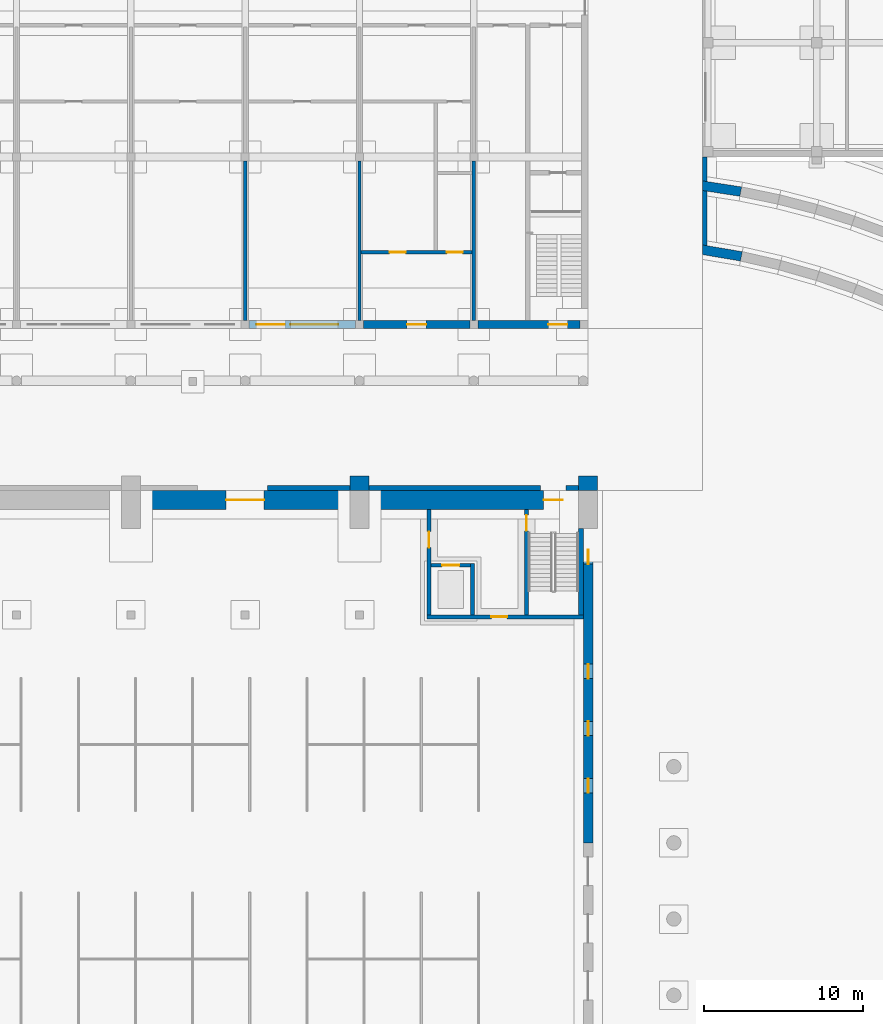
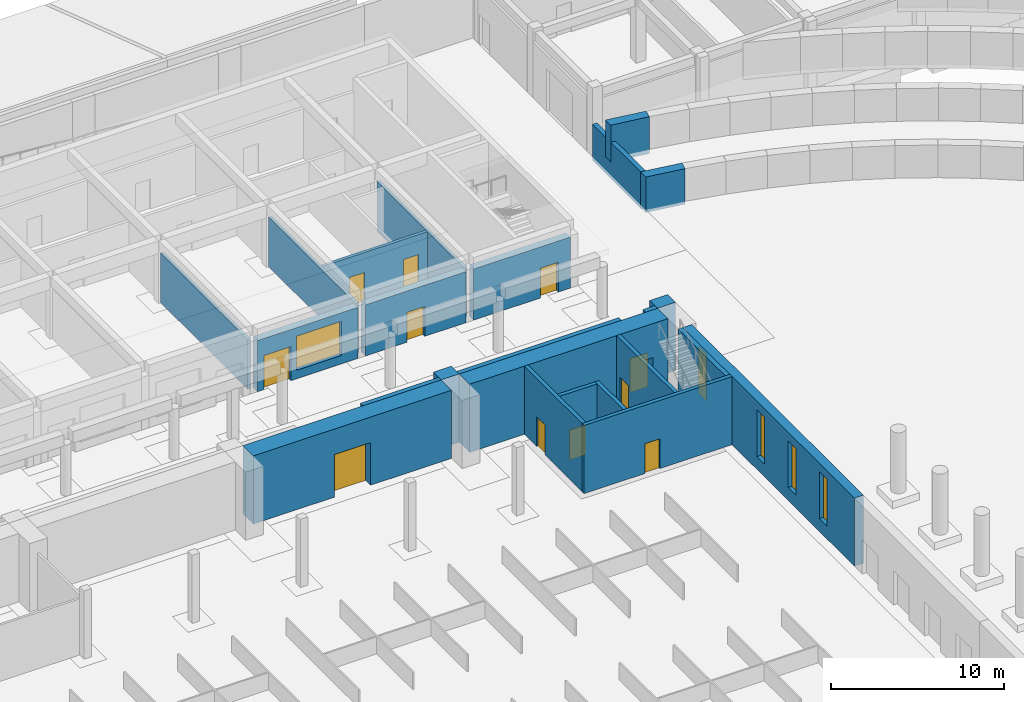
# One storey, part 48 of 73: 24 walls, 11 doors, 5 windows, 16 openings.
"""IFC4 building model written with IfcOpenShell, lengths in metres."""

from ifc_helpers import new_model, si_unit, direction, frame, frame_2d, origin, place, context, subcontext, project, spatial, polyline, rectangle, outline, extrude, material, layer, layer_set, type_object, element, fill, save


model = new_model("IFC4")

# Units and contexts
model_context = context("Model", 3, precision=1e-05, world=origin(), true_north=direction((0.0, 1.0)))
body_context = subcontext(model_context, "Body", "Model", "MODEL_VIEW")
ifc_project = project(units=[si_unit("LENGTHUNIT", "METRE"), si_unit("AREAUNIT", "SQUARE_METRE"), si_unit("VOLUMEUNIT", "CUBIC_METRE"), si_unit("PLANEANGLEUNIT", "RADIAN"), si_unit("MASSUNIT", "GRAM", prefix="KILO")], contexts=[model_context])

# Site, building, storey
site_placement = place(None, origin())
site = spatial("IfcSite", under=ifc_project, at=site_placement, CompositionType="ELEMENT")
building_placement = place(site_placement, origin())
building = spatial("IfcBuilding", under=site, at=building_placement, Name="Alderwick Market Hall", CompositionType="ELEMENT")
storey_placement = place(building_placement, origin())
storey = spatial("IfcBuildingStorey", under=building, at=storey_placement, Name="LG", CompositionType="ELEMENT", Elevation=0.0)

# Wall, openings, door, window
ifc_material_1 = material(Name="Cast stone 5000 psi", Category="masonry")
ifc_layer_1 = layer(ifc_material_1, 0.5)
ifc_layer_set_1 = layer_set([ifc_layer_1], Name="Cast stone 5000 psi")
wall_type_1 = type_object("IfcWallType", Name="A Cast Stone Shopfront Wall 500", PredefinedType="SOLIDWALL", material=ifc_layer_set_1)
wall_1_placement = place(storey_placement, frame((129.85009765625, 119.050048828125, 0.0), z_axis=(0.0, 0.0, 1.0), x_axis=(1.0, 0.0, 0.0)))
wall_1 = element("IfcWall", 1, at=wall_1_placement, inside=storey, type_object=wall_type_1, Name="A.N.wall.011", PredefinedType="SOLIDWALL", context=body_context, shape_type="SweptSolid", body=[
    extrude(rectangle(XDim=6.699951171875, YDim=0.5, at=frame_2d((3.35009765625, 0.0))), origin(), (0.0, 0.0, 1.0), 3.60009765625),
])
opening_1_placement = place(wall_1_placement, frame((0.449951171875, 0.0, 0.0)))
opening_1 = element("IfcOpeningElement", 2, at=opening_1_placement, cuts=wall_1, Name="Opening A-D013", PredefinedType="OPENING", context=body_context, shape_type="SweptSolid", body=[
    extrude(rectangle(XDim=1.800048828125, YDim=2.39990234375, at=frame_2d((0.89990234375, 1.199951171875))), frame((0.0, 0.260009765625, 0.0), z_axis=(0.0, -1.0, 0.0), x_axis=(1.0, 0.0, 0.0)), (0.0, 0.0, 1.0), 0.52001953125),
])
opening_2_placement = place(wall_1_placement, frame((2.60009765625, 0.0, 0.60009765625)))
opening_2 = element("IfcOpeningElement", 3, at=opening_2_placement, cuts=wall_1, Name="Opening A-W011", PredefinedType="OPENING", context=body_context, shape_type="SweptSolid", body=[
    extrude(rectangle(XDim=3.0, YDim=2.39990234375, at=frame_2d((1.5, 1.199951171875))), frame((0.0, 0.260009765625, 0.0), z_axis=(0.0, -1.0, 0.0), x_axis=(1.0, 0.0, 0.0)), (0.0, 0.0, 1.0), 0.52001953125),
])
ifc_material_2 = material(Name="Aluminium frame and glass", Category="aluminium")
door_type_1 = type_object("IfcDoorType", Name="A Shop Double Door 1800x2400", OperationType="DOUBLE_DOOR_DOUBLE_SWING", PredefinedType="DOOR", material=ifc_material_2)
door_1_placement = place(opening_1_placement, origin())
door_1 = element("IfcDoor", 4, at=door_1_placement, inside=storey, type_object=door_type_1, Name="Bakery Shop entrance", OperationType="DOUBLE_DOOR_DOUBLE_SWING", OverallHeight=2.39990234375, OverallWidth=1.800048828125, PredefinedType="DOOR", context=body_context, shape_type="SweptSolid", body=[
    extrude(rectangle(XDim=1.800048828125, YDim=2.39990234375, at=frame_2d((0.89990234375, 1.199951171875))), frame((0.0, 0.02490234375, 0.0), z_axis=(0.0, -1.0, 0.0), x_axis=(1.0, 0.0, 0.0)), (0.0, 0.0, 1.0), 0.050048828125),
])
fill(opening_1, door_1)
ifc_material_3 = material(Name="Aluminium frame", Category="aluminium")
window_type_1 = type_object("IfcWindowType", Name="A Shopfront Window 3000x2400", PartitioningType="SINGLE_PANEL", PredefinedType="WINDOW", material=ifc_material_3)
window_1_placement = place(opening_2_placement, origin())
window_1 = element("IfcWindow", 5, at=window_1_placement, inside=storey, type_object=window_type_1, Name="Window A-W011", OverallHeight=2.39990234375, OverallWidth=3.0, PartitioningType="SINGLE_PANEL", PredefinedType="WINDOW", context=body_context, shape_type="SweptSolid", body=[
    extrude(rectangle(XDim=3.0, YDim=2.39990234375, at=frame_2d((1.5, 1.199951171875))), frame((0.0, 0.030029296875, 0.0), z_axis=(0.0, -1.0, 0.0), x_axis=(1.0, 0.0, 0.0)), (0.0, 0.0, 1.0), 0.06005859375),
])
fill(opening_2, window_1)

# Wall, opening, door
wall_2_placement = place(storey_placement, frame((137.050048828125, 119.050048828125, 0.0), z_axis=(0.0, 0.0, 1.0), x_axis=(1.0, 0.0, 0.0)))
wall_2 = element("IfcWall", 6, at=wall_2_placement, inside=storey, type_object=wall_type_1, Name="A.N.wall.012", PredefinedType="SOLIDWALL", context=body_context, shape_type="SweptSolid", body=[
    extrude(rectangle(XDim=6.699951171875, YDim=0.5, at=frame_2d((3.35009765625, 0.0))), origin(), (0.0, 0.0, 1.0), 3.60009765625),
])
opening_3_placement = place(wall_2_placement, frame((2.75, 0.0, 0.0)))
opening_3 = element("IfcOpeningElement", 7, at=opening_3_placement, cuts=wall_2, Name="Opening A-D014", PredefinedType="OPENING", context=body_context, shape_type="SweptSolid", body=[
    extrude(rectangle(XDim=1.199951171875, YDim=2.10009765625, at=frame_2d((0.60009765625, 1.050048828125))), frame((0.0, 0.260009765625, 0.0), z_axis=(0.0, -1.0, 0.0), x_axis=(1.0, 0.0, 0.0)), (0.0, 0.0, 1.0), 0.52001953125),
])
ifc_material_4 = material(Name="Hollow metal door and frame")
door_type_2 = type_object("IfcDoorType", Name="A Door 1200x2100", OperationType="SINGLE_SWING_LEFT", PredefinedType="DOOR", material=ifc_material_4)
door_2_placement = place(opening_3_placement, origin())
door_2 = element("IfcDoor", 8, at=door_2_placement, inside=storey, type_object=door_type_2, Name="Public WC entrance", OperationType="SINGLE_SWING_RIGHT", OverallHeight=2.10009765625, OverallWidth=1.199951171875, PredefinedType="DOOR", context=body_context, shape_type="SweptSolid", body=[
    extrude(rectangle(XDim=1.199951171875, YDim=2.10009765625, at=frame_2d((0.60009765625, 1.050048828125))), frame((0.0, 0.02490234375, 0.0), z_axis=(0.0, -1.0, 0.0), x_axis=(1.0, 0.0, 0.0)), (0.0, 0.0, 1.0), 0.050048828125),
])
fill(opening_3, door_2)

wall_3_placement = place(storey_placement, frame((144.25, 119.050048828125, 0.0), z_axis=(0.0, 0.0, 1.0), x_axis=(1.0, 0.0, 0.0)))
wall_3 = element("IfcWall", 9, at=wall_3_placement, inside=storey, type_object=wall_type_1, Name="A.N.wall.013", PredefinedType="SOLIDWALL", context=body_context, shape_type="SweptSolid", body=[
    extrude(rectangle(XDim=6.449951171875, YDim=0.5, at=frame_2d((3.22509765625, 0.0))), origin(), (0.0, 0.0, 1.0), 3.60009765625),
])
opening_4_placement = place(wall_3_placement, frame((5.64990234375, 0.0, 0.0), z_axis=(0.0, 0.0, 1.0), x_axis=(-1.0, 0.0, 0.0)))
opening_4 = element("IfcOpeningElement", 10, at=opening_4_placement, cuts=wall_3, Name="Opening A-D002", PredefinedType="OPENING", context=body_context, shape_type="SweptSolid", body=[
    extrude(rectangle(XDim=1.199951171875, YDim=2.10009765625, at=frame_2d((0.60009765625, 1.050048828125))), frame((0.0, 0.260009765625, 0.0), z_axis=(0.0, -1.0, 0.0), x_axis=(1.0, 0.0, 0.0)), (0.0, 0.0, 1.0), 0.52001953125),
])
door_3_placement = place(opening_4_placement, origin())
door_3 = element("IfcDoor", 11, at=door_3_placement, inside=storey, type_object=door_type_2, Name="Roof Stair A2 door", OperationType="SINGLE_SWING_RIGHT", OverallHeight=2.10009765625, OverallWidth=1.199951171875, PredefinedType="DOOR", context=body_context, shape_type="SweptSolid", body=[
    extrude(rectangle(XDim=1.199951171875, YDim=2.10009765625, at=frame_2d((0.60009765625, 1.050048828125))), frame((0.0, 0.02490234375, 0.0), z_axis=(0.0, -1.0, 0.0), x_axis=(1.0, 0.0, 0.0)), (0.0, 0.0, 1.0), 0.050048828125),
])
fill(opening_4, door_3)

# Wall, openings, doors
ifc_material_5 = material(Name="Concrete masonry 3000 psi", Category="masonry")
ifc_layer_2 = layer(ifc_material_5, 0.199951171875)
ifc_layer_set_2 = layer_set([ifc_layer_2], Name="Concrete masonry 3000 psi")
wall_type_2 = type_object("IfcWallType", Name="A Masonry Partition 200", PredefinedType="PARTITIONING", material=ifc_layer_set_2)
wall_4_placement = place(storey_placement, frame((136.89990234375, 123.60009765625, 0.0), z_axis=(0.0, 0.0, 1.0), x_axis=(1.0, 0.0, 0.0)))
wall_4 = element("IfcWall", 12, at=wall_4_placement, inside=storey, type_object=wall_type_2, Name="A.N.wall.014", PredefinedType="PARTITIONING", context=body_context, shape_type="SweptSolid", body=[
    extrude(rectangle(XDim=7.0, YDim=0.199951171875, at=frame_2d((3.5, 0.0))), origin(), (0.0, 0.0, 1.0), 3.5),
])
opening_5_placement = place(wall_4_placement, frame((1.800048828125, 0.0, 0.0)))
opening_5 = element("IfcOpeningElement", 13, at=opening_5_placement, cuts=wall_4, Name="Opening A-D060", PredefinedType="OPENING", context=body_context, shape_type="SweptSolid", body=[
    extrude(rectangle(XDim=1.0, YDim=2.10009765625, at=frame_2d((0.5, 1.050048828125))), frame((0.0, 0.10986328125, 0.0), z_axis=(0.0, -1.0, 0.0), x_axis=(1.0, 0.0, 0.0)), (0.0, 0.0, 1.0), 0.219970703125),
])
opening_6_placement = place(wall_4_placement, frame((5.39990234375, 0.0, 0.0)))
opening_6 = element("IfcOpeningElement", 14, at=opening_6_placement, cuts=wall_4, Name="Opening A-D061", PredefinedType="OPENING", context=body_context, shape_type="SweptSolid", body=[
    extrude(rectangle(XDim=1.0, YDim=2.10009765625, at=frame_2d((0.5, 1.050048828125))), frame((0.0, 0.10986328125, 0.0), z_axis=(0.0, -1.0, 0.0), x_axis=(1.0, 0.0, 0.0)), (0.0, 0.0, 1.0), 0.219970703125),
])
door_type_3 = type_object("IfcDoorType", Name="A Door 1000x2100", OperationType="SINGLE_SWING_LEFT", PredefinedType="DOOR", material=ifc_material_4)
door_4_placement = place(opening_5_placement, origin())
door_4 = element("IfcDoor", 15, at=door_4_placement, inside=storey, type_object=door_type_3, Name="Public WC door", OperationType="SINGLE_SWING_RIGHT", OverallHeight=2.10009765625, OverallWidth=1.0, PredefinedType="DOOR", context=body_context, shape_type="SweptSolid", body=[
    extrude(rectangle(XDim=1.0, YDim=2.10009765625, at=frame_2d((0.5, 1.050048828125))), frame((0.0, 0.02490234375, 0.0), z_axis=(0.0, -1.0, 0.0), x_axis=(1.0, 0.0, 0.0)), (0.0, 0.0, 1.0), 0.050048828125),
])
fill(opening_5, door_4)
door_5_placement = place(opening_6_placement, origin())
door_5 = element("IfcDoor", 16, at=door_5_placement, inside=storey, type_object=door_type_3, Name="Accessible WC door", OperationType="SINGLE_SWING_LEFT", OverallHeight=2.10009765625, OverallWidth=1.0, PredefinedType="DOOR", context=body_context, shape_type="SweptSolid", body=[
    extrude(rectangle(XDim=1.0, YDim=2.10009765625, at=frame_2d((0.5, 1.050048828125))), frame((0.0, 0.02490234375, 0.0), z_axis=(0.0, -1.0, 0.0), x_axis=(1.0, 0.0, 0.0)), (0.0, 0.0, 1.0), 0.050048828125),
])
fill(opening_6, door_5)

# Walls
for number, where, z_axis, x_axis, name in (
    (17, (129.60009765625, 119.300048828125, 0.0), (0.0, 0.0, 1.0), (0.0, 1.0, 0.0), "A.N.wall.045"),
    (18, (136.800048828125, 119.300048828125, 0.0), (0.0, 0.0, 1.0), (0.0, 1.0, 0.0), "A.N.wall.047"),
    (19, (144.0, 119.300048828125, 0.0), (0.0, 0.0, 1.0), (0.0, 1.0, 0.0), "A.N.wall.050"),
):
    element("IfcWall", number, at=place(storey_placement, frame(where, z_axis=z_axis, x_axis=x_axis)), inside=storey, type_object=wall_type_2, Name=name, PredefinedType="PARTITIONING", context=body_context, shape_type="SweptSolid", body=[
        extrude(rectangle(XDim=10.050048828125, YDim=0.199951171875, at=frame_2d((5.02490234375, 0.0))), origin(), (0.0, 0.0, 1.0), 3.5),
    ])
ifc_material_6 = material(Name="Cast stone 5000 psi (f'c 35 MPa), ASTM C1364", Category="masonry")
ifc_layer_3 = layer(ifc_material_6, 0.300048828125)
ifc_layer_set_3 = layer_set([ifc_layer_3], Name="Cast stone 5000 psi (f'c 35 MPa), ASTM C1364")
wall_type_3 = type_object("IfcWallType", Name="H Base course 300", PredefinedType="SOLIDWALL", material=ifc_layer_set_3)
wall_5_placement = place(storey_placement, frame((131.0, 108.75, 0.0), z_axis=(0.0, 0.0, 1.0), x_axis=(1.0, 0.0, 0.0)))
element("IfcWall", 20, at=wall_5_placement, inside=storey, type_object=wall_type_3, Name="Base course N6 plinth", PredefinedType="SOLIDWALL", context=body_context, shape_type="SweptSolid", body=[
    extrude(rectangle(XDim=5.199951171875, YDim=0.300048828125, at=frame_2d((2.60009765625, 0.0))), origin(), (0.0, 0.0, 1.0), 4.800048828125),
])
wall_6_placement = place(storey_placement, frame((137.39990234375, 108.75, 0.0), z_axis=(0.0, 0.0, 1.0), x_axis=(1.0, 0.0, 0.0)))
element("IfcWall", 21, at=wall_6_placement, inside=storey, type_object=wall_type_3, Name="Base course N7 plinth", PredefinedType="SOLIDWALL", context=body_context, shape_type="SweptSolid", body=[
    extrude(rectangle(XDim=10.800048828125, YDim=0.300048828125, at=frame_2d((5.39990234375, 0.0))), origin(), (0.0, 0.0, 1.0), 4.800048828125),
])
wall_7_placement = place(storey_placement, frame((149.800048828125, 108.75, 0.0), z_axis=(0.0, 0.0, 1.0), x_axis=(1.0, 0.0, 0.0)))
element("IfcWall", 22, at=wall_7_placement, inside=storey, type_object=wall_type_3, Name="Base course N7 plinth", PredefinedType="SOLIDWALL", context=body_context, shape_type="SweptSolid", body=[
    extrude(rectangle(XDim=0.800048828125, YDim=0.300048828125, at=frame_2d((0.39990234375, 0.0))), origin(), (0.0, 0.0, 1.0), 4.800048828125),
])
ifc_material_7 = material(Name="Face brick masonry, ASTM C216 grade SW (f'm 17 MPa)", Category="masonry")
ifc_layer_4 = layer(ifc_material_7, 0.89990234375)
ifc_layer_set_4 = layer_set([ifc_layer_4], Name="Face brick masonry, ASTM C216 grade SW (f'm 17 MPa)")
wall_type_4 = type_object("IfcWallType", Name="H Buttress pier 900", PredefinedType="SOLIDWALL", material=ifc_layer_set_4)
for number, where, z_axis, x_axis, name in (
    (23, (136.199951171875, 109.050048828125, 0.0), (0.0, 0.0, 1.0), (1.0, 0.0, 0.0), "Buttress pier N7"),
    (24, (150.60009765625, 109.050048828125, 0.0), (0.0, 0.0, 1.0), (1.0, 0.0, 0.0), "Buttress pier N8"),
):
    element("IfcWall", number, at=place(storey_placement, frame(where, z_axis=z_axis, x_axis=x_axis)), inside=storey, type_object=wall_type_4, Name=name, PredefinedType="SOLIDWALL", context=body_context, shape_type="SweptSolid", body=[
        extrude(rectangle(XDim=1.199951171875, YDim=0.89990234375, at=frame_2d((0.60009765625, 0.0))), origin(), (0.0, 0.0, 1.0), 4.800048828125),
    ])

# Wall, opening, door
ifc_material_8 = material(Name="Concrete 5000 psi (f'c 35 MPa)", Category="concrete")
ifc_layer_5 = layer(ifc_material_8, 0.25)
ifc_layer_set_5 = layer_set([ifc_layer_5], Name="Concrete 5000 psi (f'c 35 MPa)")
wall_type_5 = type_object("IfcWallType", Name="H Core wall 250", PredefinedType="SOLIDWALL", material=ifc_layer_set_5)
wall_8_placement = place(storey_placement, frame((141.050048828125, 100.635009765625, 0.0), z_axis=(0.0, 0.0, 1.0), x_axis=(1.0, 0.0, 0.0)))
wall_8 = element("IfcWall", 25, at=wall_8_placement, inside=storey, type_object=wall_type_5, Name="Core wall H-NE", PredefinedType="SOLIDWALL", context=body_context, shape_type="SweptSolid", body=[
    extrude(rectangle(XDim=9.849853515625, YDim=0.25, at=frame_2d((4.9248046875, 0.0))), origin(), (0.0, 0.0, 1.0), 4.800048828125),
])
opening_7_placement = place(wall_8_placement, frame((4.050048828125, 0.0, 0.0)))
opening_7 = element("IfcOpeningElement", 26, at=opening_7_placement, cuts=wall_8, Name="Opening H-D049", PredefinedType="OPENING", context=body_context, shape_type="SweptSolid", body=[
    extrude(rectangle(XDim=1.0, YDim=2.10009765625, at=frame_2d((0.5, 1.050048828125))), frame((0.0, 0.135009765625, 0.0), z_axis=(0.0, -1.0, 0.0), x_axis=(1.0, 0.0, 0.0)), (0.0, 0.0, 1.0), 0.27001953125),
])
ifc_material_9 = material(Name="Steel, fire-rated", Category="steel")
door_type_4 = type_object("IfcDoorType", Name="H Stair door FD90 1000x2100", OperationType="SINGLE_SWING_LEFT", PredefinedType="DOOR", material=ifc_material_9)
door_6_placement = place(opening_7_placement, origin())
door_6 = element("IfcDoor", 27, at=door_6_placement, inside=storey, type_object=door_type_4, Name="Door H-D049", OperationType="SINGLE_SWING_LEFT", OverallHeight=2.10009765625, OverallWidth=1.0, PredefinedType="DOOR", context=body_context, shape_type="SweptSolid", body=[
    extrude(rectangle(XDim=1.0, YDim=2.10009765625, at=frame_2d((0.5, 1.050048828125))), frame((0.0, 0.02490234375, 0.0), z_axis=(0.0, -1.0, 0.0), x_axis=(1.0, 0.0, 0.0)), (0.0, 0.0, 1.0), 0.050048828125),
])
fill(opening_7, door_6)

wall_9_placement = place(storey_placement, frame((141.175048828125, 100.760009765625, 0.0), z_axis=(0.0, 0.0, 1.0), x_axis=(0.0, 1.0, 0.0)))
wall_9 = element("IfcWall", 28, at=wall_9_placement, inside=storey, type_object=wall_type_5, Name="Core wall H-NE", PredefinedType="SOLIDWALL", context=body_context, shape_type="SweptSolid", body=[
    extrude(rectangle(XDim=6.639892578125, YDim=0.25, at=frame_2d((3.31982421875, 0.0))), origin(), (0.0, 0.0, 1.0), 4.800048828125),
])
opening_8_placement = place(wall_9_placement, frame((4.239990234375, 0.0, 0.0)))
opening_8 = element("IfcOpeningElement", 29, at=opening_8_placement, cuts=wall_9, Name="Opening H-D048", PredefinedType="OPENING", context=body_context, shape_type="SweptSolid", body=[
    extrude(rectangle(XDim=1.0, YDim=2.10009765625, at=frame_2d((0.5, 1.050048828125))), frame((0.0, 0.135009765625, 0.0), z_axis=(0.0, -1.0, 0.0), x_axis=(1.0, 0.0, 0.0)), (0.0, 0.0, 1.0), 0.27001953125),
])
door_7_placement = place(opening_8_placement, origin())
door_7 = element("IfcDoor", 30, at=door_7_placement, inside=storey, type_object=door_type_4, Name="Door H-D048", OperationType="SINGLE_SWING_LEFT", OverallHeight=2.10009765625, OverallWidth=1.0, PredefinedType="DOOR", context=body_context, shape_type="SweptSolid", body=[
    extrude(rectangle(XDim=1.0, YDim=2.10009765625, at=frame_2d((0.5, 1.050048828125))), frame((0.0, 0.02490234375, 0.0), z_axis=(0.0, -1.0, 0.0), x_axis=(1.0, 0.0, 0.0)), (0.0, 0.0, 1.0), 0.050048828125),
])
fill(opening_8, door_7)

wall_10_placement = place(storey_placement, frame((147.324951171875, 100.760009765625, 0.0), z_axis=(0.0, 0.0, 1.0), x_axis=(0.0, 1.0, 0.0)))
wall_10 = element("IfcWall", 31, at=wall_10_placement, inside=storey, type_object=wall_type_5, Name="Core wall H-NE", PredefinedType="SOLIDWALL", context=body_context, shape_type="SweptSolid", body=[
    extrude(rectangle(XDim=6.639892578125, YDim=0.25, at=frame_2d((3.31982421875, 0.0))), origin(), (0.0, 0.0, 1.0), 4.800048828125),
])
opening_9_placement = place(wall_10_placement, frame((5.2900390625, 0.0, 0.0)))
opening_9 = element("IfcOpeningElement", 32, at=opening_9_placement, cuts=wall_10, Name="Opening H-D047", PredefinedType="OPENING", context=body_context, shape_type="SweptSolid", body=[
    extrude(rectangle(XDim=1.0, YDim=2.10009765625, at=frame_2d((0.5, 1.050048828125))), frame((0.0, 0.135009765625, 0.0), z_axis=(0.0, -1.0, 0.0), x_axis=(1.0, 0.0, 0.0)), (0.0, 0.0, 1.0), 0.27001953125),
])
door_8_placement = place(opening_9_placement, origin())
door_8 = element("IfcDoor", 33, at=door_8_placement, inside=storey, type_object=door_type_4, Name="Door H-D047", OperationType="SINGLE_SWING_LEFT", OverallHeight=2.10009765625, OverallWidth=1.0, PredefinedType="DOOR", context=body_context, shape_type="SweptSolid", body=[
    extrude(rectangle(XDim=1.0, YDim=2.10009765625, at=frame_2d((0.5, 1.050048828125))), frame((0.0, 0.02490234375, 0.0), z_axis=(0.0, -1.0, 0.0), x_axis=(1.0, 0.0, 0.0)), (0.0, 0.0, 1.0), 0.050048828125),
])
fill(opening_9, door_8)

# Wall
wall_11_placement = place(storey_placement, frame((143.925048828125, 100.760009765625, 0.0), z_axis=(0.0, 0.0, 1.0), x_axis=(0.0, 1.0, 0.0)))
element("IfcWall", 34, at=wall_11_placement, inside=storey, type_object=wall_type_5, Name="Core wall H-NE", PredefinedType="SOLIDWALL", context=body_context, shape_type="SweptSolid", body=[
    extrude(rectangle(XDim=3.25, YDim=0.25, at=frame_2d((1.625, 0.0))), origin(), (0.0, 0.0, 1.0), 4.800048828125),
])

# Wall, opening, door
wall_12_placement = place(storey_placement, frame((141.300048828125, 103.885009765625, 0.0), z_axis=(0.0, 0.0, 1.0), x_axis=(1.0, 0.0, 0.0)))
wall_12 = element("IfcWall", 35, at=wall_12_placement, inside=storey, type_object=wall_type_5, Name="Core wall H-NE", PredefinedType="SOLIDWALL", context=body_context, shape_type="SweptSolid", body=[
    extrude(rectangle(XDim=2.5, YDim=0.25, at=frame_2d((1.25, 0.0))), origin(), (0.0, 0.0, 1.0), 4.800048828125),
])
opening_10_placement = place(wall_12_placement, frame((0.699951171875, 0.0, 0.0)))
opening_10 = element("IfcOpeningElement", 36, at=opening_10_placement, cuts=wall_12, Name="Opening H-LD04", PredefinedType="OPENING", context=body_context, shape_type="SweptSolid", body=[
    extrude(rectangle(XDim=1.10009765625, YDim=2.10009765625, at=frame_2d((0.550048828125, 1.050048828125))), frame((0.0, 0.135009765625, 0.0), z_axis=(0.0, -1.0, 0.0), x_axis=(1.0, 0.0, 0.0)), (0.0, 0.0, 1.0), 0.27001953125),
])
ifc_material_10 = material(Name="Stainless steel", Category="steel")
door_type_5 = type_object("IfcDoorType", Name="H Lift landing door 1100x2100", OperationType="SLIDING_TO_LEFT", PredefinedType="DOOR", material=ifc_material_10)
door_9_placement = place(opening_10_placement, origin())
door_9 = element("IfcDoor", 37, at=door_9_placement, inside=storey, type_object=door_type_5, Name="Landing door H-LD04", OperationType="SLIDING_TO_LEFT", OverallHeight=2.10009765625, OverallWidth=1.10009765625, PredefinedType="DOOR", context=body_context, shape_type="SweptSolid", body=[
    extrude(rectangle(XDim=1.10009765625, YDim=2.10009765625, at=frame_2d((0.550048828125, 1.050048828125))), frame((0.0, 0.02490234375, 0.0), z_axis=(0.0, -1.0, 0.0), x_axis=(1.0, 0.0, 0.0)), (0.0, 0.0, 1.0), 0.050048828125),
])
fill(opening_10, door_9)

ifc_layer_6 = layer(ifc_material_8, 1.199951171875)
ifc_layer_set_6 = layer_set([ifc_layer_6], Name="Concrete 5000 psi (f'c 35 MPa)")
wall_type_6 = type_object("IfcWallType", Name="H Long wall 1200", PredefinedType="SOLIDWALL", material=ifc_layer_set_6)
wall_13_placement = place(storey_placement, frame((123.0, 108.0, 0.0), z_axis=(0.0, 0.0, 1.0), x_axis=(1.0, 0.0, 0.0)))
wall_13 = element("IfcWall", 38, at=wall_13_placement, inside=storey, type_object=wall_type_6, Name="Long wall N LG 6", PredefinedType="SOLIDWALL", context=body_context, shape_type="SweptSolid", body=[
    extrude(rectangle(XDim=13.199951171875, YDim=1.199951171875, at=frame_2d((6.60009765625, 0.0))), origin(), (0.0, 0.0, 1.0), 4.800048828125),
])
opening_11_placement = place(wall_13_placement, frame((5.39990234375, 0.0, 0.0)))
opening_11 = element("IfcOpeningElement", 39, at=opening_11_placement, cuts=wall_13, Name="Opening H-D010", PredefinedType="OPENING", context=body_context, shape_type="SweptSolid", body=[
    extrude(rectangle(XDim=2.39990234375, YDim=3.0, at=frame_2d((1.199951171875, 1.5))), frame((0.0, 0.60986328125, 0.0), z_axis=(0.0, -1.0, 0.0), x_axis=(1.0, 0.0, 0.0)), (0.0, 0.0, 1.0), 1.219970703125),
])
ifc_material_11 = material(Name="Bronze-finished aluminium and glass", Category="aluminium")
door_type_6 = type_object("IfcDoorType", Name="H Entrance door 2400x3000", OperationType="DOUBLE_DOOR_SINGLE_SWING", PredefinedType="DOOR", material=ifc_material_11)
door_10_placement = place(opening_11_placement, origin())
door_10 = element("IfcDoor", 40, at=door_10_placement, inside=storey, type_object=door_type_6, Name="Door H-D010", OperationType="DOUBLE_DOOR_SINGLE_SWING", OverallHeight=3.0, OverallWidth=2.39990234375, PredefinedType="DOOR", context=body_context, shape_type="SweptSolid", body=[
    extrude(rectangle(XDim=2.39990234375, YDim=3.0, at=frame_2d((1.199951171875, 1.5))), frame((0.0, 0.02490234375, 0.0), z_axis=(0.0, -1.0, 0.0), x_axis=(1.0, 0.0, 0.0)), (0.0, 0.0, 1.0), 0.050048828125),
])
fill(opening_11, door_10)

wall_14_placement = place(storey_placement, frame((137.39990234375, 108.0, 0.0), z_axis=(0.0, 0.0, 1.0), x_axis=(1.0, 0.0, 0.0)))
wall_14 = element("IfcWall", 41, at=wall_14_placement, inside=storey, type_object=wall_type_6, Name="Long wall N LG 7", PredefinedType="SOLIDWALL", context=body_context, shape_type="SweptSolid", body=[
    extrude(rectangle(XDim=13.2001953125, YDim=1.199951171875, at=frame_2d((6.60009765625, 0.0))), origin(), (0.0, 0.0, 1.0), 4.800048828125),
])
opening_12_placement = place(wall_14_placement, frame((11.0, 0.0, 0.0)))
opening_12 = element("IfcOpeningElement", 42, at=opening_12_placement, cuts=wall_14, Name="Opening H-D011", PredefinedType="OPENING", context=body_context, shape_type="SweptSolid", body=[
    extrude(rectangle(XDim=1.199951171875, YDim=2.39990234375, at=frame_2d((0.60009765625, 1.199951171875))), frame((0.0, 0.60986328125, 0.0), z_axis=(0.0, -1.0, 0.0), x_axis=(1.0, 0.0, 0.0)), (0.0, 0.0, 1.0), 1.219970703125),
])
door_type_7 = type_object("IfcDoorType", Name="H Exit door FD60 1200x2400", OperationType="SINGLE_SWING_LEFT", PredefinedType="DOOR", material=ifc_material_9)
door_11_placement = place(opening_12_placement, origin())
door_11 = element("IfcDoor", 43, at=door_11_placement, inside=storey, type_object=door_type_7, Name="Door H-D011", OperationType="SINGLE_SWING_LEFT", OverallHeight=2.39990234375, OverallWidth=1.199951171875, PredefinedType="DOOR", context=body_context, shape_type="SweptSolid", body=[
    extrude(rectangle(XDim=1.199951171875, YDim=2.39990234375, at=frame_2d((0.60009765625, 1.199951171875))), frame((0.0, 0.02490234375, 0.0), z_axis=(0.0, -1.0, 0.0), x_axis=(1.0, 0.0, 0.0)), (0.0, 0.0, 1.0), 0.050048828125),
])
fill(opening_12, door_11)

# Wall
ifc_layer_7 = layer(ifc_material_8, 0.300048828125)
ifc_layer_set_7 = layer_set([ifc_layer_7], Name="Concrete 5000 psi (f'c 35 MPa)")
wall_type_7 = type_object("IfcWallType", Name="H Stair furring wall 300", PredefinedType="SOLIDWALL", material=ifc_layer_set_7)
wall_15_placement = place(storey_placement, frame((150.75, 100.760009765625, 0.0), z_axis=(0.0, 0.0, 1.0), x_axis=(0.0, 1.0, 0.0)))
element("IfcWall", 44, at=wall_15_placement, inside=storey, type_object=wall_type_7, Name="Core wall H-NE", PredefinedType="SOLIDWALL", context=body_context, shape_type="SweptSolid", body=[
    extrude(rectangle(XDim=5.43994140625, YDim=0.300048828125, at=frame_2d((2.719970703125, 0.0))), origin(), (0.0, 0.0, 1.0), 4.800048828125),
])

# Wall, openings, windows
ifc_layer_8 = layer(ifc_material_8, 0.60009765625)
ifc_layer_set_8 = layer_set([ifc_layer_8], Name="Concrete 5000 psi (f'c 35 MPa)")
wall_type_8 = type_object("IfcWallType", Name="R Gable Wall 600", PredefinedType="SOLIDWALL", material=ifc_layer_set_8)
wall_16_placement = place(storey_placement, frame((151.199951171875, 86.39990234375, 0.0), z_axis=(0.0, 0.0, 1.0), x_axis=(0.0, 1.0, 0.0)))
wall_16 = element("IfcWall", 45, at=wall_16_placement, inside=storey, type_object=wall_type_8, Name="East gable wall N LG", PredefinedType="SOLIDWALL", context=body_context, shape_type="SweptSolid", body=[
    extrude(rectangle(XDim=19.800048828125, YDim=0.60009765625, at=frame_2d((9.89990234375, 0.0))), origin(), (0.0, 0.0, 1.0), 4.800048828125),
])
opening_13_placement = place(wall_16_placement, frame((3.14990234375, 0.0, 0.89990234375)))
opening_13 = element("IfcOpeningElement", 46, at=opening_13_placement, cuts=wall_16, Name="Opening R-W051", PredefinedType="OPENING", context=body_context, shape_type="SweptSolid", body=[
    extrude(rectangle(XDim=0.89990234375, YDim=3.300048828125, at=frame_2d((0.449951171875, 1.64990234375))), frame((0.0, 0.31005859375, 0.0), z_axis=(0.0, -1.0, 0.0), x_axis=(1.0, 0.0, 0.0)), (0.0, 0.0, 1.0), 0.6201171875),
])
opening_14_placement = place(wall_16_placement, frame((6.75, 0.0, 0.89990234375)))
opening_14 = element("IfcOpeningElement", 47, at=opening_14_placement, cuts=wall_16, Name="Opening R-W052", PredefinedType="OPENING", context=body_context, shape_type="SweptSolid", body=[
    extrude(rectangle(XDim=0.89990234375, YDim=3.300048828125, at=frame_2d((0.449951171875, 1.64990234375))), frame((0.0, 0.31005859375, 0.0), z_axis=(0.0, -1.0, 0.0), x_axis=(1.0, 0.0, 0.0)), (0.0, 0.0, 1.0), 0.6201171875),
])
opening_15_placement = place(wall_16_placement, frame((10.35009765625, 0.0, 0.89990234375)))
opening_15 = element("IfcOpeningElement", 48, at=opening_15_placement, cuts=wall_16, Name="Opening R-W053", PredefinedType="OPENING", context=body_context, shape_type="SweptSolid", body=[
    extrude(rectangle(XDim=0.89990234375, YDim=3.300048828125, at=frame_2d((0.449951171875, 1.64990234375))), frame((0.0, 0.31005859375, 0.0), z_axis=(0.0, -1.0, 0.0), x_axis=(1.0, 0.0, 0.0)), (0.0, 0.0, 1.0), 0.6201171875),
])
opening_16_placement = place(wall_16_placement, frame((17.550048828125, 0.0, 0.89990234375)))
opening_16 = element("IfcOpeningElement", 49, at=opening_16_placement, cuts=wall_16, Name="Opening R-W054", PredefinedType="OPENING", context=body_context, shape_type="SweptSolid", body=[
    extrude(rectangle(XDim=0.89990234375, YDim=3.300048828125, at=frame_2d((0.449951171875, 1.64990234375))), frame((0.0, 0.31005859375, 0.0), z_axis=(0.0, -1.0, 0.0), x_axis=(1.0, 0.0, 0.0)), (0.0, 0.0, 1.0), 0.6201171875),
])
ifc_material_12 = material(Name="Aluminium", Category="aluminium")
window_type_2 = type_object("IfcWindowType", Name="R Gable Window 900x3300", PartitioningType="SINGLE_PANEL", PredefinedType="WINDOW", material=ifc_material_12)
window_2_placement = place(opening_13_placement, origin())
window_2 = element("IfcWindow", 50, at=window_2_placement, inside=storey, type_object=window_type_2, Name="Gable window R-W051", OverallHeight=3.300048828125, OverallWidth=0.89990234375, PartitioningType="SINGLE_PANEL", PredefinedType="WINDOW", context=body_context, shape_type="SweptSolid", body=[
    extrude(rectangle(XDim=0.89990234375, YDim=3.300048828125, at=frame_2d((0.449951171875, 1.64990234375))), frame((0.0, 0.030029296875, 0.0), z_axis=(0.0, -1.0, 0.0), x_axis=(1.0, 0.0, 0.0)), (0.0, 0.0, 1.0), 0.06005859375),
])
fill(opening_13, window_2)
window_3_placement = place(opening_14_placement, origin())
window_3 = element("IfcWindow", 51, at=window_3_placement, inside=storey, type_object=window_type_2, Name="Gable window R-W052", OverallHeight=3.300048828125, OverallWidth=0.89990234375, PartitioningType="SINGLE_PANEL", PredefinedType="WINDOW", context=body_context, shape_type="SweptSolid", body=[
    extrude(rectangle(XDim=0.89990234375, YDim=3.300048828125, at=frame_2d((0.449951171875, 1.64990234375))), frame((0.0, 0.030029296875, 0.0), z_axis=(0.0, -1.0, 0.0), x_axis=(1.0, 0.0, 0.0)), (0.0, 0.0, 1.0), 0.06005859375),
])
fill(opening_14, window_3)
window_4_placement = place(opening_15_placement, origin())
window_4 = element("IfcWindow", 52, at=window_4_placement, inside=storey, type_object=window_type_2, Name="Gable window R-W053", OverallHeight=3.300048828125, OverallWidth=0.89990234375, PartitioningType="SINGLE_PANEL", PredefinedType="WINDOW", context=body_context, shape_type="SweptSolid", body=[
    extrude(rectangle(XDim=0.89990234375, YDim=3.300048828125, at=frame_2d((0.449951171875, 1.64990234375))), frame((0.0, 0.030029296875, 0.0), z_axis=(0.0, -1.0, 0.0), x_axis=(1.0, 0.0, 0.0)), (0.0, 0.0, 1.0), 0.06005859375),
])
fill(opening_15, window_4)
window_5_placement = place(opening_16_placement, origin())
window_5 = element("IfcWindow", 53, at=window_5_placement, inside=storey, type_object=window_type_2, Name="Gable window R-W054", OverallHeight=3.300048828125, OverallWidth=0.89990234375, PartitioningType="SINGLE_PANEL", PredefinedType="WINDOW", context=body_context, shape_type="SweptSolid", body=[
    extrude(rectangle(XDim=0.89990234375, YDim=3.300048828125, at=frame_2d((0.449951171875, 1.64990234375))), frame((0.0, 0.030029296875, 0.0), z_axis=(0.0, -1.0, 0.0), x_axis=(1.0, 0.0, 0.0)), (0.0, 0.0, 1.0), 0.06005859375),
])
fill(opening_16, window_5)

# Walls
ifc_layer_9 = layer(ifc_material_8, 0.300048828125)
ifc_layer_set_9 = layer_set([ifc_layer_9], Name="Concrete 5000 psi (f'c 35 MPa)")
wall_type_9 = type_object("IfcWallType", Name="S Retaining Wall 300", PredefinedType="SOLIDWALL", material=ifc_layer_set_9)
wall_17_placement = place(storey_placement, frame((158.550048828125, 123.9580078125, -0.25), z_axis=(0.0, 0.0, 1.0), x_axis=(0.0, 1.0, 0.0)))
element("IfcWall", 54, at=wall_17_placement, inside=storey, type_object=wall_type_9, Name="Retaining wall 06a", PredefinedType="SOLIDWALL", context=body_context, shape_type="SweptSolid", body=[
    extrude(rectangle(XDim=5.632080078125, YDim=0.300048828125, at=frame_2d((2.81591796875, 0.0))), origin(), (0.0, 0.0, 1.0), 2.550048828125),
])
ifc_layer_10 = layer(ifc_material_8, 0.60009765625)
ifc_layer_set_10 = layer_set([ifc_layer_10], Name="Concrete 5000 psi (f'c 35 MPa)")
wall_type_10 = type_object("IfcWallType", Name="S Terrace Wall 600", PredefinedType="SOLIDWALL", material=ifc_layer_set_10)
wall_18_placement = place(storey_placement, frame((0.0, 0.0, -0.199951171875)))
element("IfcWall", 55, at=wall_18_placement, inside=storey, type_object=wall_type_10, Name="Terrace wall W1.50", PredefinedType="SOLIDWALL", context=body_context, shape_type="SweptSolid", body=[
    extrude(outline(polyline([(160.91064453125, 123.635009765625), (158.44189453125, 124.053955078125), (158.39990234375, 124.0595703125), (158.39990234375, 123.452392578125), (160.7939453125, 123.04638671875), (160.91064453125, 123.635009765625)])), origin(), (0.0, 0.0, 1.0), 2.5),
])
wall_19_placement = place(storey_placement, frame((0.0, 0.0, 0.89990234375)))
element("IfcWall", 56, at=wall_19_placement, inside=storey, type_object=wall_type_10, Name="Terrace wall W2.56", PredefinedType="SOLIDWALL", context=body_context, shape_type="SweptSolid", body=[
    extrude(outline(polyline([(160.868408203125, 127.714111328125), (158.438720703125, 128.0908203125), (158.39990234375, 128.095703125), (158.39990234375, 127.48974609375), (160.76171875, 127.123291015625), (160.868408203125, 127.714111328125)])), origin(), (0.0, 0.0, 1.0), 2.60009765625),
])

save(model, "model.ifc")
